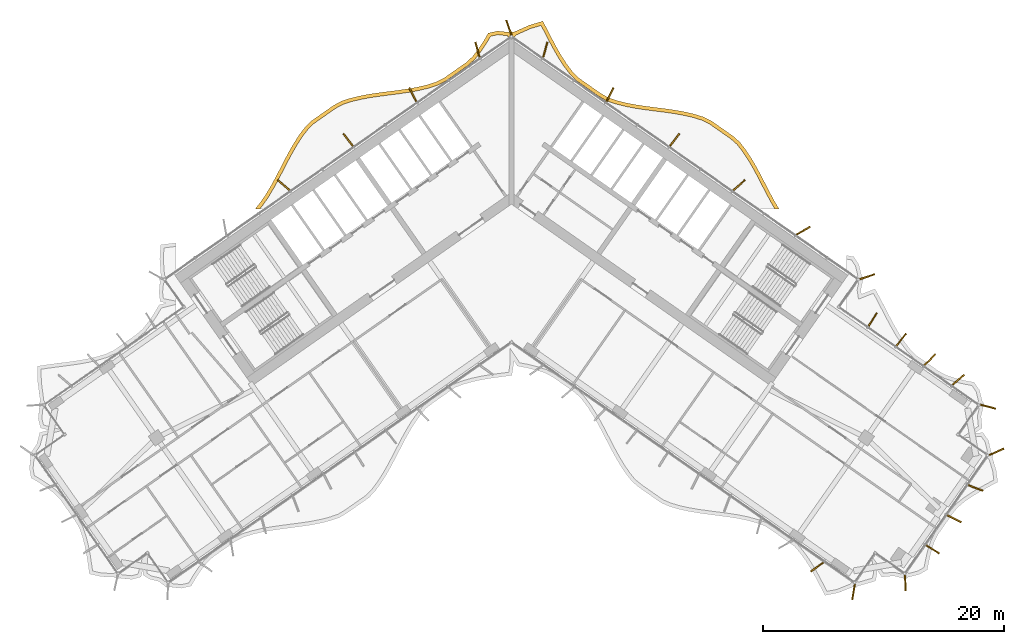
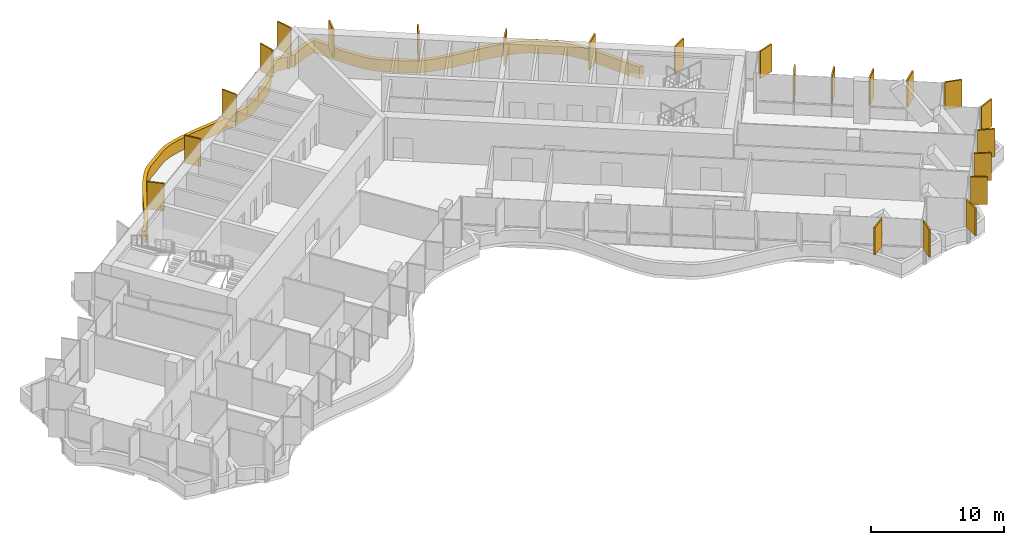
# One storey, part 21 of 21: 24 shading devices.
"""IFC4 building model written with IfcOpenShell, lengths in metres."""

from ifc_helpers import new_model, si_unit, direction, frame, origin, origin_2d, place, context, subcontext, project, spatial, polyline, rectangle, outline, extrude, material, layer, layer_set, type_object, element, save


model = new_model("IFC4")

# Units and contexts
model_context = context("Model", 3, precision=1e-05, world=origin(), true_north=direction((0.0, 1.0)))
body_context = subcontext(model_context, "Body", "Model", "MODEL_VIEW")
ifc_project = project(units=[si_unit("LENGTHUNIT", "METRE"), si_unit("AREAUNIT", "SQUARE_METRE"), si_unit("VOLUMEUNIT", "CUBIC_METRE"), si_unit("PLANEANGLEUNIT", "RADIAN"), si_unit("MASSUNIT", "GRAM", prefix="KILO")], contexts=[model_context])

# Site, building, storey
site_placement = place(None, origin())
site = spatial("IfcSite", under=ifc_project, at=site_placement, CompositionType="ELEMENT")
building_placement = place(site_placement, origin())
building = spatial("IfcBuilding", under=site, at=building_placement, Name="Tel Ilan Convention Tower", CompositionType="ELEMENT")
storey_placement = place(building_placement, frame((0.0, 0.0, 139.800048828125)))
storey = spatial("IfcBuildingStorey", under=building, at=storey_placement, Name="L31", CompositionType="ELEMENT", Elevation=139.800048828125)

# Shading devices
ifc_material_1 = material(Name="Aluminium, bronze anodised", Category="aluminium")
ifc_layer_1 = layer(ifc_material_1, 0.1201171875)
ifc_layer_set_1 = layer_set([ifc_layer_1], Name="FIN BRONZE 1300x120")
shading_device_type_1 = type_object("IfcShadingDeviceType", Name="FIN BRONZE 1300x120", PredefinedType="USERDEFINED", material=ifc_layer_set_1)
for number, where, z_axis, x_axis, name in (
    (1, (29.583984375, -7.253173828125, 1.099853515625), (0.0, 0.0, 1.0), (0.949242643575, 0.314544756146, 0.0), "FIN"),
    (2, (24.270751953125, -3.427001953125, 1.099853515625), (0.0, 0.0, 1.0), (0.866025403784, 0.5, 0.0), "FIN"),
    (3, (18.926025390625, 0.353271484375, 1.099853515625), (0.0, 0.0, 1.0), (0.753435896329, 0.657521368568, 0.0), "FIN"),
    (4, (13.562744140625, 4.116943359375, 1.099853515625), (0.0, 0.0, 1.0), (0.612600545196, 0.790392669516, 0.0), "FIN"),
    (5, (8.1943359375, 7.87548828125, 1.099853515625), (0.0, 0.0, 1.0), (0.448799180206, 0.893632640321, 0.0), "FIN"),
    (6, (2.818115234375, 11.616943359375, 1.099853515625), (0.0, 0.0, 1.0), (0.268172612768, 0.963370878614, 0.0), "FIN"),
    (7, (-0.21630859375, 13.450439453125, 1.099853515625), (0.0, 0.0, 1.0), (-0.332892691468, 0.942964716183, 0.0), "FIN"),
    (8, (-2.818115234375, 11.616943359375, 1.099853515625), (0.0, 0.0, 1.0), (-0.268172612768, 0.963370878614, 0.0), "FIN"),
    (9, (-8.1943359375, 7.87548828125, 1.099853515625), (0.0, 0.0, 1.0), (-0.448799180206, 0.893632640321, 0.0), "FIN"),
    (10, (-13.562744140625, 4.116943359375, 1.099853515625), (0.0, 0.0, 1.0), (-0.612600545196, 0.790392669516, 0.0), "FIN"),
    (11, (-18.926025390625, 0.353271484375, 1.099853515625), (0.0, 0.0, 1.0), (-0.753435896329, 0.657521368568, 0.0), "FIN"),
    (12, (25.41064453125, -31.3828125, 1.099853515625), (0.0, 0.0, 1.0), (-0.813552070258, -0.581492071294, 0.0), "FIN"),
    (13, (28.4423828125, -33.46630859375, 1.099853515625), (0.0, 0.0, 1.0), (-0.16409119891, -0.986445172547, 0.0), "FIN"),
    (14, (32.744140625, -32.72705078125, 1.099853515625), (0.0, 0.0, 1.0), (0.029084718749, -0.999576950082, 0.0), "FIN"),
    (15, (35.025146484375, -29.9189453125, 1.099853515625), (0.0, 0.0, 1.0), (0.845986425922, -0.533204432798, 0.0), "FIN"),
    (16, (36.810302734375, -27.368896484375, 1.099853515625), (0.0, 0.0, 1.0), (0.893632640321, -0.448799180206, 0.0), "FIN"),
    (17, (38.58984375, -24.816162109375, 1.099853515625), (0.0, 0.0, 1.0), (0.932883704733, -0.360177724803, 0.0), "FIN"),
    (18, (40.32958984375, -21.81005859375, 1.099853515625), (0.0, 0.0, 1.0), (0.914332505315, 0.404964282034, 0.0), "FIN"),
    (19, (39.63720703125, -18.061279296875, 1.099853515625), (0.0, 0.0, 1.0), (0.965925826289, -0.258819045103, 0.0), "FIN"),
    (20, (37.156005859375, -15.829833984375, 1.099853515625), (0.0, 0.0, 1.0), (0.753435896329, 0.657521368568, 0.0), "FIN"),
    (21, (34.78271484375, -14.159912109375, 1.099853515625), (0.0, 0.0, 1.0), (0.686241637865, 0.727373641577, 0.0), "FIN"),
    (22, (32.405029296875, -12.494873046875, 1.099853515625), (0.0, 0.0, 1.0), (0.612600545196, 0.790392669516, 0.0), "FIN"),
    (23, (30.027099609375, -10.829833984375, 1.099853515625), (0.0, 0.0, 1.0), (0.533204432798, 0.845986425922, 0.0), "FIN"),
):
    element("IfcShadingDevice", number, at=place(storey_placement, frame(where, z_axis=z_axis, x_axis=x_axis)), inside=storey, type_object=shading_device_type_1, Name=name, ObjectType="FIN", PredefinedType="USERDEFINED", context=body_context, shape_type="SweptSolid", body=[
        extrude(rectangle(XDim=1.300048828125, YDim=0.1201171875, at=origin_2d()), origin(), (0.0, 0.0, 1.0), 2.52001953125),
    ])
ifc_material_2 = material(Name="Aluminium, bronze anodised", Category="aluminium")
ifc_layer_2 = layer(ifc_material_2, 0.300048828125)
ifc_layer_set_2 = layer_set([ifc_layer_2], Name="LOUVRE BAND 300x1100")
shading_device_type_2 = type_object("IfcShadingDeviceType", Name="LOUVRE BAND 300x1100", PredefinedType="USERDEFINED", material=ifc_layer_set_2)
shading_device_placement = place(storey_placement, origin())
element("IfcShadingDevice", 24, at=shading_device_placement, inside=storey, type_object=shading_device_type_2, Name="LOUVRE BAND 25.02", ObjectType="LOUVRE", PredefinedType="USERDEFINED", context=body_context, shape_type="SweptSolid", body=[
    extrude(outline(polyline([(-20.849609375, -1.0634765625), (-21.30126953125, -1.631591796875), (-20.91796875, -1.631591796875), (-20.607666015625, -1.2412109375), (-20.154052734375, -0.572265625), (-19.73291015625, 0.13330078125), (-19.335205078125, 0.86328125), (-18.57080078125, 2.342041015625), (-18.1845703125, 3.06298828125), (-17.78369140625, 3.75341796875), (-17.359619140625, 4.40185546875), (-16.911376953125, 4.99072265625), (-16.409912109375, 5.478515625), (-14.633056640625, 6.722412109375), (-14.02197265625, 7.05712890625), (-13.32763671875, 7.284912109375), (-12.58056640625, 7.4697265625), (-11.800048828125, 7.61669921875), (-10.994384765625, 7.73681640625), (-9.345458984375, 7.94873046875), (-8.521484375, 8.068603515625), (-7.710693359375, 8.216064453125), (-6.921875, 8.404296875), (-6.152587890625, 8.64794921875), (-5.447509765625, 9.00390625), (-3.604248046875, 10.29443359375), (-3.021484375, 10.82373046875), (-2.525634765625, 11.46142578125), (-2.076904296875, 12.135498046875), (-1.727783203125, 12.727294921875), (-1.12451171875, 12.861572265625), (-0.33935546875, 12.77978515625), (-0.24609375, 12.646728515625), (0.0, 12.818115234375), (0.24609375, 12.646728515625), (0.3701171875, 12.82373046875), (1.583984375, 13.365234375), (2.46484375, 13.628173828125), (3.115478515625, 12.37158203125), (3.5078125, 11.636474609375), (3.92041015625, 10.921630859375), (4.362548828125, 10.239501953125), (4.84716796875, 9.595947265625), (5.407958984375, 9.031494140625), (7.251220703125, 7.74072265625), (7.93212890625, 7.353759765625), (8.69921875, 7.09716796875), (9.48291015625, 6.89990234375), (10.2900390625, 6.745361328125), (11.112060546875, 6.621337890625), (12.762939453125, 6.408935546875), (13.572509765625, 6.29248046875), (14.3583984375, 6.15185546875), (15.11279296875, 5.97509765625), (15.819580078125, 5.75537109375), (16.44921875, 5.450927734375), (18.22607421875, 4.206787109375), (18.74951171875, 3.746826171875), (19.200927734375, 3.172607421875), (19.63037109375, 2.533447265625), (20.03515625, 1.850341796875), (20.423583984375, 1.13427734375), (21.186767578125, -0.3427734375), (21.5810546875, -1.075927734375), (21.906005859375, -1.631591796875), (22.25341796875, -1.631591796875), (21.8427734375, -0.928955078125), (21.4521484375, -0.202880859375), (20.688720703125, 1.27490234375), (20.296142578125, 1.998291015625), (19.884033203125, 2.69384765625), (19.44384765625, 3.34912109375), (18.96826171875, 3.9541015625), (18.41162109375, 4.443115234375), (16.6015625, 5.71044921875), (15.929931640625, 6.03515625), (15.191650390625, 6.2646484375), (14.419189453125, 6.44580078125), (13.6201171875, 6.588623046875), (12.80322265625, 6.7060546875), (11.15380859375, 6.91845703125), (10.340576171875, 7.041259765625), (9.547607421875, 7.19287109375), (8.783447265625, 7.385498046875), (8.054931640625, 7.62890625), (7.411865234375, 7.99462890625), (5.601806640625, 9.261962890625), (5.074462890625, 9.792724609375), (4.608642578125, 10.41162109375), (4.17626953125, 11.078369140625), (3.770263671875, 11.7822265625), (3.38134765625, 12.510986328125), (2.6162109375, 13.986328125), (1.4794921875, 13.647216796875), (0.168701171875, 13.059326171875), (0.11474609375, 13.09521484375), (0.0, 13.1181640625), (-0.11474609375, 13.09521484375), (-0.168701171875, 13.059326171875), (-1.14208984375, 13.1650390625), (-1.919921875, 12.991943359375), (-2.3310546875, 12.294921875), (-2.769287109375, 11.63671875), (-3.242431640625, 11.0283203125), (-3.7919921875, 10.529296875), (-5.601806640625, 9.261962890625), (-6.26611328125, 8.926513671875), (-7.002197265625, 8.693603515625), (-7.7724609375, 8.509765625), (-8.570068359375, 8.36474609375), (-9.385986328125, 8.24609375), (-11.03564453125, 8.033935546875), (-11.849853515625, 7.91259765625), (-12.644287109375, 7.76318359375), (-13.41064453125, 7.573486328125), (-14.141845703125, 7.33349609375), (-14.791748046875, 6.977783203125), (-16.6015625, 5.71044921875), (-17.136474609375, 5.1904296875), (-17.604736328125, 4.574951171875), (-18.0390625, 3.9111328125), (-18.44677734375, 3.209228515625), (-18.83642578125, 2.481689453125), (-19.60009765625, 1.004150390625), (-19.993408203125, 0.281982421875), (-20.4072265625, -0.4111328125), (-20.849609375, -1.0634765625)])), origin(), (0.0, 0.0, 1.0), 1.099853515625),
])

save(model, "model.ifc")
